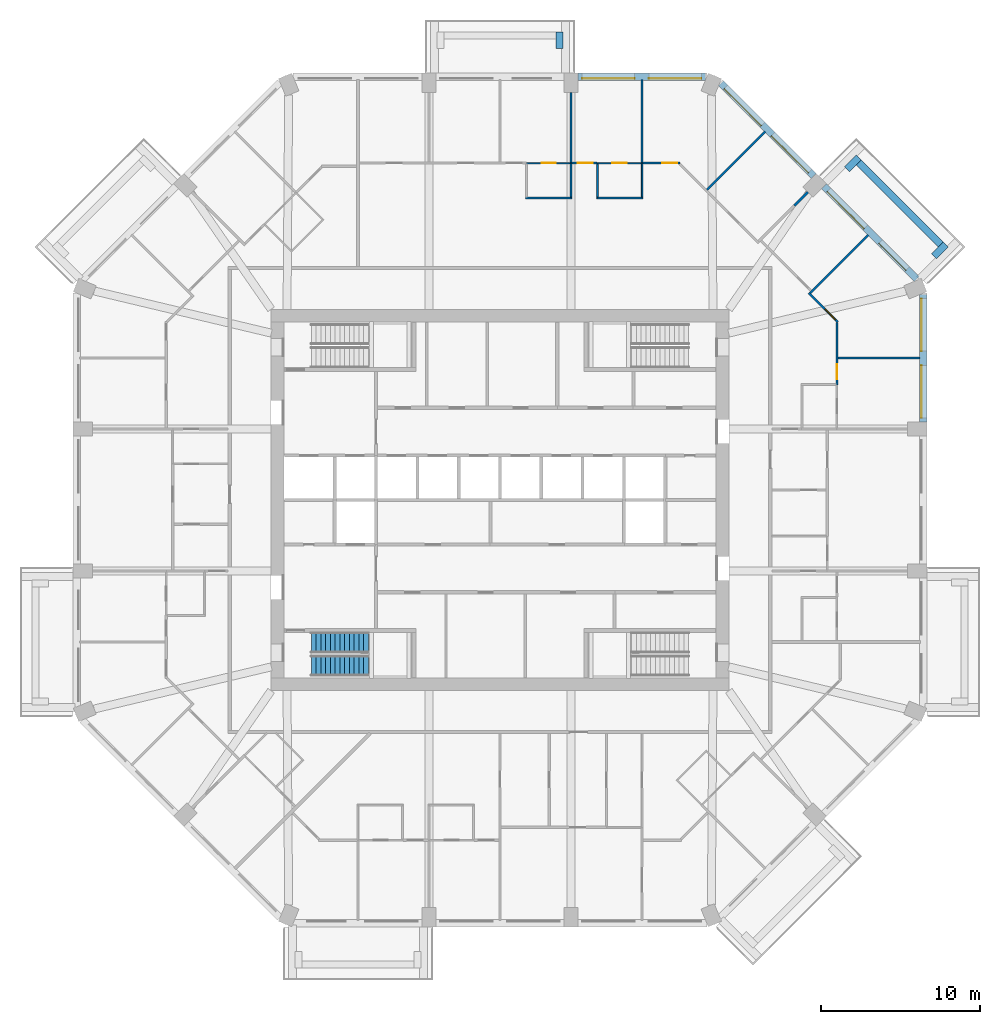
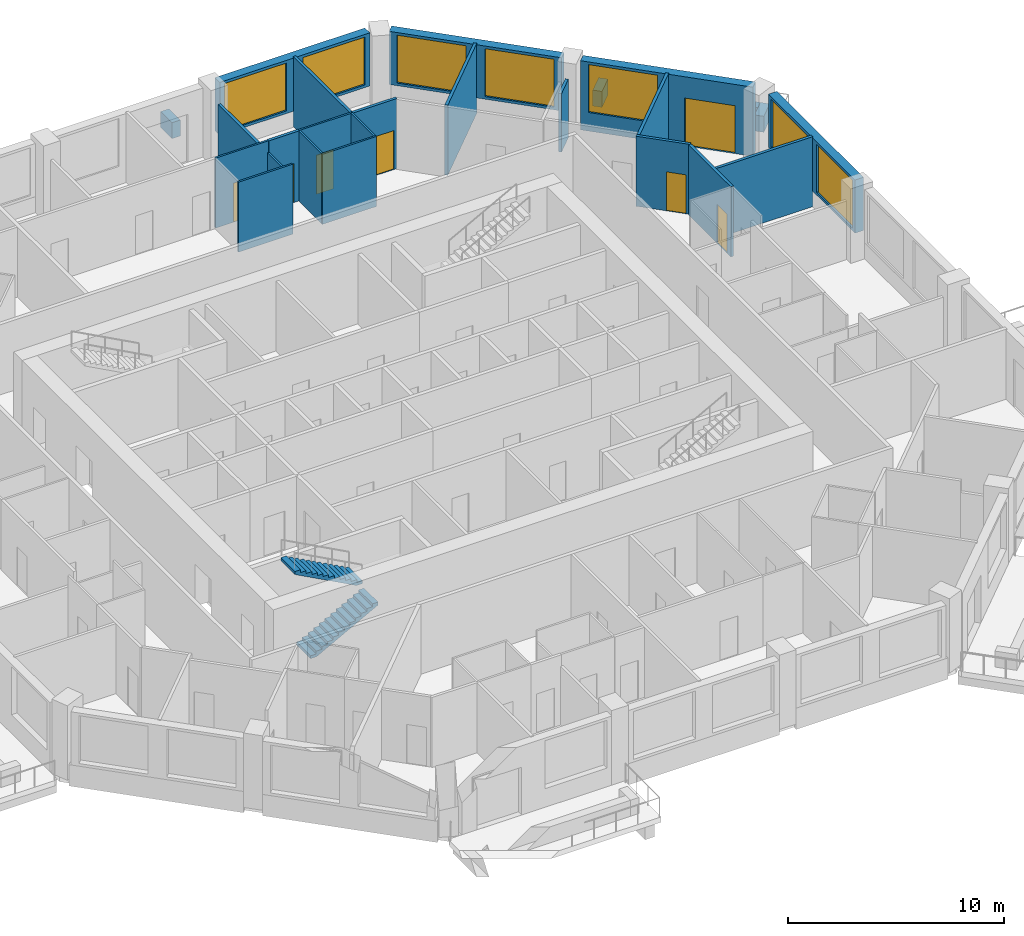
# One storey, part 10 of 12: 25 walls, 7 doors, 7 windows, 2 stair flights, 14 openings, 1 element without a shape of its own.
"""IFC4 building model written with IfcOpenShell, lengths in metres."""

import ifcopenshell
import ifcopenshell.guid

model = None  # the IFC model being written
_history = None  # IfcOwnerHistory: only IFC2X3 demands one
_inside = {}  # id of a spatial element -> (the spatial element, [elements in it])
_under = {}  # id of a project, library or spatial element -> (it, [spatial elements below it])
_declared = {}  # id of a project -> (the project, [libraries it declares])
_typed = {}  # id of a type object -> (the type object, [elements of that type])
_made_of = {}  # id of a material, layer set ... -> (it, [elements and type objects made of it])


def new_model(schema):
    """Start an empty IFC model of exactly this schema.

    Asked for "IFC4X3", IfcOpenShell would pick the latest addendum, in which some entities
    have other attributes; the version numbers below select the first issue.
    IFC2X3 requires an IfcOwnerHistory on every rooted entity: one is made here for all.
    """
    global model, _history
    if schema == "IFC4X3":
        model = ifcopenshell.file(schema_version=(4, 3, 0, 0))
    else:
        model = ifcopenshell.file(schema=schema)
    _inside.clear()
    _under.clear()
    _declared.clear()
    _typed.clear()
    _made_of.clear()
    _history = None
    if model.schema == "IFC2X3":
        org = make("IfcOrganization", Name="unknown")
        user = make(
            "IfcPersonAndOrganization",
            ThePerson=make("IfcPerson", FamilyName="unknown"),
            TheOrganization=org,
        )
        app = make(
            "IfcApplication",
            ApplicationDeveloper=org,
            Version="unknown",
            ApplicationFullName="unknown",
            ApplicationIdentifier="unknown",
        )
        _history = make(
            "IfcOwnerHistory",
            OwningUser=user,
            OwningApplication=app,
            ChangeAction="ADDED",
            CreationDate=0,
        )
    return model


def make(cls, **values):
    """One entity of the class cls with the attributes given. An attribute that is None is left unset."""
    return model.create_entity(
        cls, **{name: value for name, value in values.items() if value is not None}
    )


def rooted(cls, **values):
    """An entity with a GlobalId (a new one), such as an element, a storey or a relation."""
    return make(cls, GlobalId=ifcopenshell.guid.new(), OwnerHistory=_history, **values)


def si_unit(unit_type, name, prefix=None):
    """IfcSIUnit, for example si_unit("LENGTHUNIT", "METRE", prefix="MILLI")."""
    return make("IfcSIUnit", UnitType=unit_type, Prefix=prefix, Name=name)


def assignment(units):
    """IfcUnitAssignment: the units of a project."""
    return None if units is None else make("IfcUnitAssignment", Units=units)


def point(xyz):
    """IfcCartesianPoint."""
    return None if xyz is None else make("IfcCartesianPoint", Coordinates=xyz)


def direction(xyz):
    """IfcDirection."""
    return None if xyz is None else make("IfcDirection", DirectionRatios=xyz)


def frame(location, z_axis=None, x_axis=None):
    """IfcAxis2Placement3D, a coordinate frame: its origin and axes. An axis left out is left unset."""
    return make(
        "IfcAxis2Placement3D",
        Location=point(location),
        Axis=direction(z_axis),
        RefDirection=direction(x_axis),
    )


def frame_2d(location, x_axis=None):
    """IfcAxis2Placement2D, a coordinate frame in the plane: its origin and x axis."""
    return make(
        "IfcAxis2Placement2D", Location=point(location), RefDirection=direction(x_axis)
    )


def origin():
    """The frame at (0, 0, 0) with its axes left unset."""
    return frame((0.0, 0.0, 0.0))


def place(relative_to, where):
    """IfcLocalPlacement: puts the frame where relative to a parent placement (None: the world)."""
    return make(
        "IfcLocalPlacement", PlacementRelTo=relative_to, RelativePlacement=where
    )


def context(
    kind, dimensions, precision=None, world=None, true_north=None, identifier=None
):
    """IfcGeometricRepresentationContext, for example the 3D "Model" context."""
    return make(
        "IfcGeometricRepresentationContext",
        ContextIdentifier=identifier,
        ContextType=kind,
        CoordinateSpaceDimension=dimensions,
        Precision=precision,
        WorldCoordinateSystem=world,
        TrueNorth=true_north,
    )


def subcontext(parent, identifier, kind, view, scale=None):
    """IfcGeometricRepresentationSubContext, for example "Body" below "Model"."""
    return make(
        "IfcGeometricRepresentationSubContext",
        ContextIdentifier=identifier,
        ContextType=kind,
        ParentContext=parent,
        TargetScale=scale,
        TargetView=view,
    )


def project(units=None, contexts=None):
    """IfcProject with its units and contexts."""
    return rooted(
        "IfcProject",
        Name="project",
        RepresentationContexts=contexts,
        UnitsInContext=assignment(units),
    )


def spatial(cls, under=None, at=None, **own):
    """A site, building, storey or space (cls), placed at a placement, below another one or the project."""
    s = rooted(cls, ObjectPlacement=at, **own)
    if under is not None:
        _under.setdefault(under.id(), (under, []))[1].append(s)
    return s


def polyline(points):
    """IfcPolyline through the points."""
    return make("IfcPolyline", Points=[point(p) for p in points])


def profile(cls, at=None, kind="AREA", **sizes):
    """A parametric profile (cls). Its sizes go by their IFC names, for example OverallWidth=200.0."""
    return make(cls, ProfileType=kind, Position=at, **sizes)


def rectangle(**sizes):
    """IfcRectangleProfileDef."""
    return profile("IfcRectangleProfileDef", **sizes)


def outline(outer, holes=None, kind="AREA"):
    """IfcArbitraryClosedProfileDef: a profile drawn as a closed curve; with holes, ...WithVoids."""
    if holes is None:
        return make("IfcArbitraryClosedProfileDef", ProfileType=kind, OuterCurve=outer)
    return make(
        "IfcArbitraryProfileDefWithVoids",
        ProfileType=kind,
        OuterCurve=outer,
        InnerCurves=holes,
    )


def extrude(swept, where, along, depth):
    """IfcExtrudedAreaSolid: the profile swept, set in the frame where, extruded along a direction by depth."""
    return make(
        "IfcExtrudedAreaSolid",
        SweptArea=swept,
        Position=where,
        ExtrudedDirection=direction(along),
        Depth=depth,
    )


def shape(context_of_items, identifier, shape_type, items):
    """IfcShapeRepresentation: the items that make up one representation, for example the "Body"."""
    return make(
        "IfcShapeRepresentation",
        ContextOfItems=context_of_items,
        RepresentationIdentifier=identifier,
        RepresentationType=shape_type,
        Items=items,
    )


def material(Name=None, Category=None):
    """IfcMaterial."""
    return make("IfcMaterial", Name=Name, Category=Category)


def layer(
    of_material, thickness, ventilated=None, Name=None, Category=None, Priority=None
):
    """IfcMaterialLayer: one layer of a wall or slab, of a material (None: an air gap)."""
    return make(
        "IfcMaterialLayer",
        Material=of_material,
        LayerThickness=thickness,
        IsVentilated=ventilated,
        Name=Name,
        Category=Category,
        Priority=Priority,
    )


def layer_set(layers, Name=None):
    """IfcMaterialLayerSet."""
    return make("IfcMaterialLayerSet", MaterialLayers=layers, LayerSetName=Name)


def made_of(thing, what):
    """Note that an element or type object is made of a material, layer set ...; save() writes the relation."""
    if what is not None:
        _made_of.setdefault(what.id(), (what, []))[1].append(thing)
    return thing


def type_object(cls, material=None, **own):
    """A type object (cls), such as IfcWallType, which elements share."""
    return made_of(rooted(cls, **own), material)


def element(
    cls,
    number,
    at=None,
    inside=None,
    cuts=None,
    type_object=None,
    material=None,
    context=None,
    identifier="Body",
    shape_type=None,
    held_by="IfcProductDefinitionShape",
    body=None,
    shapes=None,
    **own,
):
    """One element of the class cls, such as IfcWall. Its Tag is "e" and its number.

    at: its placement. inside: the storey or other place that contains it. cuts: it is an
    opening in that element (IfcRelVoidsElement). A single representation is given by context,
    identifier, shape_type and body (its items); several are given by shapes. held_by: the class
    of the entity that holds the representations. save() writes the other relations.
    """
    e = rooted(cls, Tag="e%d" % number, ObjectPlacement=at, **own)
    if body is not None:
        shapes = [shape(context, identifier, shape_type, body)]
    if shapes is not None:
        e.Representation = make(held_by, Representations=shapes)
    if inside is not None:
        _inside.setdefault(inside.id(), (inside, []))[1].append(e)
    if cuts is not None:
        rooted(
            "IfcRelVoidsElement", RelatingBuildingElement=cuts, RelatedOpeningElement=e
        )
    if type_object is not None:
        _typed.setdefault(type_object.id(), (type_object, []))[1].append(e)
    return made_of(e, material)


def fill(opening, filler):
    """IfcRelFillsElement: the door or window that sits in an opening."""
    return rooted(
        "IfcRelFillsElement",
        RelatingOpeningElement=opening,
        RelatedBuildingElement=filler,
    )


def aggregate(whole, parts):
    """IfcRelAggregates: a whole, such as a stair, and the parts it consists of."""
    return rooted("IfcRelAggregates", RelatingObject=whole, RelatedObjects=parts)


def save(model, path):
    """Write the relations noted so far, then the file.

    IfcRelAggregates (storeys below a building ...), IfcRelContainedInSpatialStructure (elements
    in a storey), IfcRelDefinesByType, IfcRelAssociatesMaterial and IfcRelDeclares: one each for
    every whole, place, type object, material and project.
    """
    for whole, parts in _under.values():
        aggregate(whole, parts)
    for where, things in _inside.values():
        rooted(
            "IfcRelContainedInSpatialStructure",
            RelatedElements=things,
            RelatingStructure=where,
        )
    for kind, things in _typed.values():
        rooted("IfcRelDefinesByType", RelatedObjects=things, RelatingType=kind)
    for what, things in _made_of.values():
        rooted("IfcRelAssociatesMaterial", RelatedObjects=things, RelatingMaterial=what)
    for by, libraries in _declared.values():
        rooted("IfcRelDeclares", RelatingContext=by, RelatedDefinitions=libraries)
    model.write(path)


model = new_model("IFC4")

# Units and contexts
model_context = context("Model", 3, precision=1e-05, world=origin(), true_north=direction((0.0, 1.0)))
body_context = subcontext(model_context, "Body", "Model", "MODEL_VIEW")
ifc_project = project(units=[si_unit("LENGTHUNIT", "METRE"), si_unit("AREAUNIT", "SQUARE_METRE"), si_unit("VOLUMEUNIT", "CUBIC_METRE"), si_unit("PLANEANGLEUNIT", "RADIAN"), si_unit("MASSUNIT", "GRAM", prefix="KILO")], contexts=[model_context])

# Site, building, storey
site_placement = place(None, origin())
site = spatial("IfcSite", under=ifc_project, at=site_placement, CompositionType="ELEMENT")
building_placement = place(site_placement, origin())
building = spatial("IfcBuilding", under=site, at=building_placement, Name="Msitu Wima Residences", CompositionType="ELEMENT")
storey_placement = place(building_placement, frame((0.0, 0.0, 119.10009765625)))
storey = spatial("IfcBuildingStorey", under=building, at=storey_placement, Name="L27", CompositionType="ELEMENT", Elevation=119.10009765625)

# Walls
ifc_material_1 = material(Name="Facing brick")
ifc_layer_1 = layer(ifc_material_1, 0.06494140625, Name="Facing brick")
ifc_material_2 = material(Name="Concrete C40/50", Category="concrete")
ifc_layer_2 = layer(ifc_material_2, 0.156005859375, Name="Concrete C40/50")
ifc_material_3 = material(Name="Waterproofing membrane")
ifc_layer_3 = layer(ifc_material_3, 0.00390625, Name="Waterproofing membrane")
ifc_material_4 = material(Name="Planting soil and planting")
ifc_layer_4 = layer(ifc_material_4, 0.22509765625, Name="Planting soil and planting")
ifc_layer_set_1 = layer_set([ifc_layer_1, ifc_layer_2, ifc_layer_3, ifc_layer_4], Name="Concrete C40/50")
wall_type_1 = type_object("IfcWallType", Name="Balcony planter PLANTER PL450", PredefinedType="USERDEFINED", material=ifc_layer_set_1)
wall_1_placement = place(storey_placement, frame((27.725830078125, 16.0751953125, 0.0), z_axis=(0.0, 0.0, 1.0), x_axis=(-0.707106781187, 0.707106781187, 0.0)))
element("IfcWall", 1, at=wall_1_placement, inside=storey, type_object=wall_type_1, Name="Balcony planter NE0 L27", ObjectType="PLANTER", PredefinedType="USERDEFINED", context=body_context, shape_type="SweptSolid", body=[
    extrude(rectangle(XDim=7.288330078125, YDim=0.449951171875, at=frame_2d((3.64404296875, 0.0))), origin(), (0.0, 0.0, 1.0), 0.89990234375),
])
for number, where, z_axis, x_axis, name in (
    (2, (27.301513671875, 15.332763671875, 0.0), (0.0, 0.0, 1.0), (0.707106781187, 0.707106781187, 0.0), "Balcony planter NE0 L27"),
    (3, (21.829833984375, 20.804443359375, 0.0), (0.0, 0.0, 1.0), (0.707106781187, 0.707106781187, 0.0), "Balcony planter NE0 L27"),
    (4, (3.74365234375, 28.39990234375, 0.0), (0.0, 0.0, 1.0), (0.0, 1.0, 0.0), "Balcony planter N1 L27"),
):
    element("IfcWall", number, at=place(storey_placement, frame(where, z_axis=z_axis, x_axis=x_axis)), inside=storey, type_object=wall_type_1, Name=name, ObjectType="PLANTER", PredefinedType="USERDEFINED", context=body_context, shape_type="SweptSolid", body=[
        extrude(rectangle(XDim=1.050048828125, YDim=0.449951171875, at=frame_2d((0.52490234375, 0.0))), origin(), (0.0, 0.0, 1.0), 0.89990234375),
    ])

# Wall, openings, windows
ifc_material_5 = material(Name="Brick (red buff mix)", Category="masonry")
ifc_layer_5 = layer(ifc_material_5, 0.449951171875)
ifc_layer_set_2 = layer_set([ifc_layer_5], Name="Brick (red buff mix)")
wall_type_2 = type_object("IfcWallType", Name="Brick infill wall BW450", PredefinedType="SOLIDWALL", material=ifc_layer_set_2)
wall_2_placement = place(storey_placement, frame((26.625, 4.918701171875, 0.89990234375), z_axis=(0.0, 0.0, 1.0), x_axis=(0.0, 1.0, 0.0)))
wall_2 = element("IfcWall", 5, at=wall_2_placement, inside=storey, type_object=wall_type_2, Name="Brick infill wall L27 E2", PredefinedType="SOLIDWALL", context=body_context, shape_type="SweptSolid", body=[
    extrude(rectangle(XDim=8.0, YDim=0.449951171875, at=frame_2d((4.0, 0.0))), origin(), (0.0, 0.0, 1.0), 3.0),
])
opening_1_placement = place(wall_2_placement, frame((0.25, 0.0, 0.14990234375)))
opening_1 = element("IfcOpeningElement", 6, at=opening_1_placement, cuts=wall_2, Name="Opening W27-29.004", PredefinedType="OPENING", context=body_context, shape_type="SweptSolid", body=[
    extrude(rectangle(XDim=3.300048828125, YDim=2.699951171875, at=frame_2d((1.64990234375, 1.35009765625))), frame((0.0, 0.23486328125, 0.0), z_axis=(0.0, -1.0, 0.0), x_axis=(1.0, 0.0, 0.0)), (0.0, 0.0, 1.0), 0.469970703125),
])
opening_2_placement = place(wall_2_placement, frame((4.4501953125, 0.0, 0.14990234375)))
opening_2 = element("IfcOpeningElement", 7, at=opening_2_placement, cuts=wall_2, Name="Opening W27-29.005", PredefinedType="OPENING", context=body_context, shape_type="SweptSolid", body=[
    extrude(rectangle(XDim=3.300048828125, YDim=2.699951171875, at=frame_2d((1.64990234375, 1.35009765625))), frame((0.0, 0.23486328125, 0.0), z_axis=(0.0, -1.0, 0.0), x_axis=(1.0, 0.0, 0.0)), (0.0, 0.0, 1.0), 0.469970703125),
])
ifc_material_6 = material(Name="Anodised aluminium, bronze finish, clear low-emissivity double glazing", Category="aluminium")
window_type = type_object("IfcWindowType", Name="Window W3300x2700", PartitioningType="DOUBLE_PANEL_VERTICAL", PredefinedType="WINDOW", material=ifc_material_6)
window_1_placement = place(opening_1_placement, origin())
window_1 = element("IfcWindow", 8, at=window_1_placement, inside=storey, type_object=window_type, Name="Window L27 E2.1", OverallHeight=2.699951171875, OverallWidth=3.300048828125, PartitioningType="SINGLE_PANEL", PredefinedType="WINDOW", context=body_context, shape_type="SweptSolid", body=[
    extrude(rectangle(XDim=3.300048828125, YDim=2.699951171875, at=frame_2d((1.64990234375, 1.35009765625))), frame((0.0, 0.135009765625, 0.0), z_axis=(0.0, -1.0, 0.0), x_axis=(1.0, 0.0, 0.0)), (0.0, 0.0, 1.0), 0.06005859375),
])
fill(opening_1, window_1)
window_2_placement = place(opening_2_placement, origin())
window_2 = element("IfcWindow", 9, at=window_2_placement, inside=storey, type_object=window_type, Name="Window L27 E2.2", OverallHeight=2.699951171875, OverallWidth=3.300048828125, PartitioningType="SINGLE_PANEL", PredefinedType="WINDOW", context=body_context, shape_type="SweptSolid", body=[
    extrude(rectangle(XDim=3.300048828125, YDim=2.699951171875, at=frame_2d((1.64990234375, 1.35009765625))), frame((0.0, 0.135009765625, 0.0), z_axis=(0.0, -1.0, 0.0), x_axis=(1.0, 0.0, 0.0)), (0.0, 0.0, 1.0), 0.06005859375),
])
fill(opening_2, window_2)

# Wall, openings, door, window
wall_3_placement = place(storey_placement, frame((26.214599609375, 13.909423828125, 0.0), z_axis=(0.0, 0.0, 1.0), x_axis=(-0.707106781187, 0.707106781187, 0.0)))
wall_3 = element("IfcWall", 10, at=wall_3_placement, inside=storey, type_object=wall_type_2, Name="Brick infill wall L27 NE0", PredefinedType="SOLIDWALL", context=body_context, shape_type="SweptSolid", body=[
    extrude(rectangle(XDim=8.251220703125, YDim=0.449951171875, at=frame_2d((4.12548828125, 0.0))), origin(), (0.0, 0.0, 1.0), 3.89990234375),
])
opening_3_placement = place(wall_3_placement, frame((0.86279296875, 0.0, 0.0)))
opening_3 = element("IfcOpeningElement", 11, at=opening_3_placement, cuts=wall_3, Name="Opening D27-29.003", PredefinedType="OPENING", context=body_context, shape_type="SweptSolid", body=[
    extrude(rectangle(XDim=2.39990234375, YDim=2.699951171875, at=frame_2d((1.199951171875, 1.35009765625))), frame((0.0, 0.23486328125, 0.0), z_axis=(0.0, -1.0, 0.0), x_axis=(1.0, 0.0, 0.0)), (0.0, 0.0, 1.0), 0.469970703125),
])
opening_4_placement = place(wall_3_placement, frame((4.57568359375, 0.0, 1.050048828125)))
opening_4 = element("IfcOpeningElement", 12, at=opening_4_placement, cuts=wall_3, Name="Opening W27-29.011", PredefinedType="OPENING", context=body_context, shape_type="SweptSolid", body=[
    extrude(rectangle(XDim=3.300048828125, YDim=2.699951171875, at=frame_2d((1.64990234375, 1.35009765625))), frame((0.0, 0.23486328125, 0.0), z_axis=(0.0, -1.0, 0.0), x_axis=(1.0, 0.0, 0.0)), (0.0, 0.0, 1.0), 0.469970703125),
])
door_type_1 = type_object("IfcDoorType", Name="Balcony door D2400x2700", OperationType="SLIDING_TO_LEFT", PredefinedType="DOOR", material=ifc_material_6)
door_1_placement = place(opening_3_placement, origin())
door_1 = element("IfcDoor", 13, at=door_1_placement, inside=storey, type_object=door_type_1, Name="Balcony door L27 NE0", OperationType="SINGLE_SWING_LEFT", OverallHeight=2.699951171875, OverallWidth=2.39990234375, PredefinedType="DOOR", context=body_context, shape_type="SweptSolid", body=[
    extrude(rectangle(XDim=2.39990234375, YDim=2.699951171875, at=frame_2d((1.199951171875, 1.35009765625))), frame((0.0, 0.1298828125, 0.0), z_axis=(0.0, -1.0, 0.0), x_axis=(1.0, 0.0, 0.0)), (0.0, 0.0, 1.0), 0.050048828125),
])
fill(opening_3, door_1)
window_3_placement = place(opening_4_placement, origin())
window_3 = element("IfcWindow", 14, at=window_3_placement, inside=storey, type_object=window_type, Name="Window L27 NE0.2", OverallHeight=2.699951171875, OverallWidth=3.300048828125, PartitioningType="SINGLE_PANEL", PredefinedType="WINDOW", context=body_context, shape_type="SweptSolid", body=[
    extrude(rectangle(XDim=3.300048828125, YDim=2.699951171875, at=frame_2d((1.64990234375, 1.35009765625))), frame((0.0, 0.135009765625, 0.0), z_axis=(0.0, -1.0, 0.0), x_axis=(1.0, 0.0, 0.0)), (0.0, 0.0, 1.0), 0.06005859375),
])
fill(opening_4, window_3)

# Wall, openings, windows
wall_4_placement = place(storey_placement, frame((19.743896484375, 20.380126953125, 0.89990234375), z_axis=(0.0, 0.0, 1.0), x_axis=(-0.707106781187, 0.707106781187, 0.0)))
wall_4 = element("IfcWall", 15, at=wall_4_placement, inside=storey, type_object=wall_type_2, Name="Brick infill wall L27 NE1", PredefinedType="SOLIDWALL", context=body_context, shape_type="SweptSolid", body=[
    extrude(rectangle(XDim=8.251220703125, YDim=0.449951171875, at=frame_2d((4.12548828125, 0.0))), origin(), (0.0, 0.0, 1.0), 3.0),
])
opening_5_placement = place(wall_4_placement, frame((0.37548828125, 0.0, 0.14990234375)))
opening_5 = element("IfcOpeningElement", 16, at=opening_5_placement, cuts=wall_4, Name="Opening W27-29.012", PredefinedType="OPENING", context=body_context, shape_type="SweptSolid", body=[
    extrude(rectangle(XDim=3.300048828125, YDim=2.699951171875, at=frame_2d((1.64990234375, 1.35009765625))), frame((0.0, 0.23486328125, 0.0), z_axis=(0.0, -1.0, 0.0), x_axis=(1.0, 0.0, 0.0)), (0.0, 0.0, 1.0), 0.469970703125),
])
opening_6_placement = place(wall_4_placement, frame((4.57568359375, 0.0, 0.14990234375)))
opening_6 = element("IfcOpeningElement", 17, at=opening_6_placement, cuts=wall_4, Name="Opening W27-29.013", PredefinedType="OPENING", context=body_context, shape_type="SweptSolid", body=[
    extrude(rectangle(XDim=3.300048828125, YDim=2.699951171875, at=frame_2d((1.64990234375, 1.35009765625))), frame((0.0, 0.23486328125, 0.0), z_axis=(0.0, -1.0, 0.0), x_axis=(1.0, 0.0, 0.0)), (0.0, 0.0, 1.0), 0.469970703125),
])
window_4_placement = place(opening_5_placement, origin())
window_4 = element("IfcWindow", 18, at=window_4_placement, inside=storey, type_object=window_type, Name="Window L27 NE1.1", OverallHeight=2.699951171875, OverallWidth=3.300048828125, PartitioningType="SINGLE_PANEL", PredefinedType="WINDOW", context=body_context, shape_type="SweptSolid", body=[
    extrude(rectangle(XDim=3.300048828125, YDim=2.699951171875, at=frame_2d((1.64990234375, 1.35009765625))), frame((0.0, 0.135009765625, 0.0), z_axis=(0.0, -1.0, 0.0), x_axis=(1.0, 0.0, 0.0)), (0.0, 0.0, 1.0), 0.06005859375),
])
fill(opening_5, window_4)
window_5_placement = place(opening_6_placement, origin())
window_5 = element("IfcWindow", 19, at=window_5_placement, inside=storey, type_object=window_type, Name="Window L27 NE1.2", OverallHeight=2.699951171875, OverallWidth=3.300048828125, PartitioningType="SINGLE_PANEL", PredefinedType="WINDOW", context=body_context, shape_type="SweptSolid", body=[
    extrude(rectangle(XDim=3.300048828125, YDim=2.699951171875, at=frame_2d((1.64990234375, 1.35009765625))), frame((0.0, 0.135009765625, 0.0), z_axis=(0.0, -1.0, 0.0), x_axis=(1.0, 0.0, 0.0)), (0.0, 0.0, 1.0), 0.06005859375),
])
fill(opening_6, window_5)

wall_5_placement = place(storey_placement, frame((12.918701171875, 26.625, 0.89990234375), z_axis=(0.0, 0.0, 1.0), x_axis=(-1.0, 0.0, 0.0)))
wall_5 = element("IfcWall", 20, at=wall_5_placement, inside=storey, type_object=wall_type_2, Name="Brick infill wall L27 N0", PredefinedType="SOLIDWALL", context=body_context, shape_type="SweptSolid", body=[
    extrude(rectangle(XDim=8.0, YDim=0.449951171875, at=frame_2d((4.0, 0.0))), origin(), (0.0, 0.0, 1.0), 3.0),
])
opening_7_placement = place(wall_5_placement, frame((0.25, 0.0, 0.14990234375)))
opening_7 = element("IfcOpeningElement", 21, at=opening_7_placement, cuts=wall_5, Name="Opening W27-29.006", PredefinedType="OPENING", context=body_context, shape_type="SweptSolid", body=[
    extrude(rectangle(XDim=3.300048828125, YDim=2.699951171875, at=frame_2d((1.64990234375, 1.35009765625))), frame((0.0, 0.23486328125, 0.0), z_axis=(0.0, -1.0, 0.0), x_axis=(1.0, 0.0, 0.0)), (0.0, 0.0, 1.0), 0.469970703125),
])
opening_8_placement = place(wall_5_placement, frame((4.4501953125, 0.0, 0.14990234375)))
opening_8 = element("IfcOpeningElement", 22, at=opening_8_placement, cuts=wall_5, Name="Opening W27-29.007", PredefinedType="OPENING", context=body_context, shape_type="SweptSolid", body=[
    extrude(rectangle(XDim=3.300048828125, YDim=2.699951171875, at=frame_2d((1.64990234375, 1.35009765625))), frame((0.0, 0.23486328125, 0.0), z_axis=(0.0, -1.0, 0.0), x_axis=(1.0, 0.0, 0.0)), (0.0, 0.0, 1.0), 0.469970703125),
])
window_6_placement = place(opening_7_placement, origin())
window_6 = element("IfcWindow", 23, at=window_6_placement, inside=storey, type_object=window_type, Name="Window L27 N0.1", OverallHeight=2.699951171875, OverallWidth=3.300048828125, PartitioningType="SINGLE_PANEL", PredefinedType="WINDOW", context=body_context, shape_type="SweptSolid", body=[
    extrude(rectangle(XDim=3.300048828125, YDim=2.699951171875, at=frame_2d((1.64990234375, 1.35009765625))), frame((0.0, 0.135009765625, 0.0), z_axis=(0.0, -1.0, 0.0), x_axis=(1.0, 0.0, 0.0)), (0.0, 0.0, 1.0), 0.06005859375),
])
fill(opening_7, window_6)
window_7_placement = place(opening_8_placement, origin())
window_7 = element("IfcWindow", 24, at=window_7_placement, inside=storey, type_object=window_type, Name="Window L27 N0.2", OverallHeight=2.699951171875, OverallWidth=3.300048828125, PartitioningType="SINGLE_PANEL", PredefinedType="WINDOW", context=body_context, shape_type="SweptSolid", body=[
    extrude(rectangle(XDim=3.300048828125, YDim=2.699951171875, at=frame_2d((1.64990234375, 1.35009765625))), frame((0.0, 0.135009765625, 0.0), z_axis=(0.0, -1.0, 0.0), x_axis=(1.0, 0.0, 0.0)), (0.0, 0.0, 1.0), 0.06005859375),
])
fill(opening_8, window_7)

# Wall
ifc_material_7 = material(Name="Plaster")
ifc_layer_6 = layer(ifc_material_7, 0.011962890625, Name="Plaster")
ifc_material_8 = material(Name="Concrete blockwork", Category="masonry")
ifc_layer_7 = layer(ifc_material_8, 0.1259765625, Name="Concrete blockwork")
ifc_layer_8 = layer(ifc_material_7, 0.011962890625, Name="Plaster")
ifc_layer_set_3 = layer_set([ifc_layer_6, ifc_layer_7, ifc_layer_8], Name="Concrete blockwork")
wall_type_3 = type_object("IfcWallType", Name="Partition PW150", PredefinedType="PARTITIONING", material=ifc_layer_set_3)
wall_6_placement = place(storey_placement, frame((4.46875, 21.179931640625, 0.0), z_axis=(0.0, 0.0, 1.0), x_axis=(0.0, 1.0, 0.0)))
element("IfcWall", 25, at=wall_6_placement, inside=storey, type_object=wall_type_3, Name="Partition", PredefinedType="PARTITIONING", context=body_context, shape_type="SweptSolid", body=[
    extrude(rectangle(XDim=4.469970703125, YDim=0.14990234375, at=frame_2d((2.23486328125, 0.0))), origin(), (0.0, 0.0, 1.0), 3.2998046875),
])

# Wall, opening, door
wall_7_placement = place(storey_placement, frame((4.488525390625, 21.199951171875, 0.0), z_axis=(0.0, 0.0, 1.0), x_axis=(1.0, 0.0, 0.0)))
wall_7 = element("IfcWall", 26, at=wall_7_placement, inside=storey, type_object=wall_type_3, Name="Partition", PredefinedType="PARTITIONING", context=body_context, shape_type="SweptSolid", body=[
    extrude(rectangle(XDim=1.628662109375, YDim=0.14990234375, at=frame_2d((0.814453125, 0.0))), origin(), (0.0, 0.0, 1.0), 3.949951171875),
])
opening_9_placement = place(wall_7_placement, frame((0.39990234375, 0.0, 0.0)))
opening_9 = element("IfcOpeningElement", 27, at=opening_9_placement, cuts=wall_7, Name="Opening D27-29.081", PredefinedType="OPENING", context=body_context, shape_type="SweptSolid", body=[
    extrude(rectangle(XDim=0.949951171875, YDim=2.199951171875, at=frame_2d((0.47509765625, 1.10009765625))), frame((0.0, 0.0849609375, 0.0), z_axis=(0.0, -1.0, 0.0), x_axis=(1.0, 0.0, 0.0)), (0.0, 0.0, 1.0), 0.169921875),
])
ifc_material_9 = material(Name="Timber flush door", Category="wood")
door_type_2 = type_object("IfcDoorType", Name="Room door D12 950x2200", OperationType="SINGLE_SWING_LEFT", PredefinedType="DOOR", material=ifc_material_9)
door_2_placement = place(opening_9_placement, origin())
door_2 = element("IfcDoor", 28, at=door_2_placement, inside=storey, type_object=door_type_2, Name="Room door", OperationType="SINGLE_SWING_LEFT", OverallHeight=2.199951171875, OverallWidth=0.949951171875, PredefinedType="DOOR", context=body_context, shape_type="SweptSolid", body=[
    extrude(rectangle(XDim=0.949951171875, YDim=2.199951171875, at=frame_2d((0.47509765625, 1.10009765625))), frame((0.0, 0.02490234375, 0.0), z_axis=(0.0, -1.0, 0.0), x_axis=(1.0, 0.0, 0.0)), (0.0, 0.0, 1.0), 0.050048828125),
])
fill(opening_9, door_2)

# Wall
wall_8_placement = place(storey_placement, frame((8.937255859375, 21.179931640625, 0.0), z_axis=(0.0, 0.0, 1.0), x_axis=(0.0, 1.0, 0.0)))
element("IfcWall", 29, at=wall_8_placement, inside=storey, type_object=wall_type_3, Name="Partition", PredefinedType="PARTITIONING", context=body_context, shape_type="SweptSolid", body=[
    extrude(rectangle(XDim=5.275146484375, YDim=0.14990234375, at=frame_2d((2.6376953125, 0.0))), origin(), (0.0, 0.0, 1.0), 3.949951171875),
])

# Wall, opening, door
wall_9_placement = place(storey_placement, frame((8.957275390625, 21.199951171875, 0.0), z_axis=(0.0, 0.0, 1.0), x_axis=(1.0, 0.0, 0.0)))
wall_9 = element("IfcWall", 30, at=wall_9_placement, inside=storey, type_object=wall_type_3, Name="Partition", PredefinedType="PARTITIONING", context=body_context, shape_type="SweptSolid", body=[
    extrude(rectangle(XDim=2.36962890625, YDim=0.14990234375, at=frame_2d((1.184814453125, 0.0))), origin(), (0.0, 0.0, 1.0), 3.949951171875),
])
opening_10_placement = place(wall_9_placement, frame((1.25, 0.0, 0.0)))
opening_10 = element("IfcOpeningElement", 31, at=opening_10_placement, cuts=wall_9, Name="Opening D27-29.042", PredefinedType="OPENING", context=body_context, shape_type="SweptSolid", body=[
    extrude(rectangle(XDim=0.949951171875, YDim=2.199951171875, at=frame_2d((0.47509765625, 1.10009765625))), frame((0.0, 0.0849609375, 0.0), z_axis=(0.0, -1.0, 0.0), x_axis=(1.0, 0.0, 0.0)), (0.0, 0.0, 1.0), 0.169921875),
])
door_3_placement = place(opening_10_placement, origin())
door_3 = element("IfcDoor", 32, at=door_3_placement, inside=storey, type_object=door_type_2, Name="Room door", OperationType="SINGLE_SWING_LEFT", OverallHeight=2.199951171875, OverallWidth=0.949951171875, PredefinedType="DOOR", context=body_context, shape_type="SweptSolid", body=[
    extrude(rectangle(XDim=0.949951171875, YDim=2.199951171875, at=frame_2d((0.47509765625, 1.10009765625))), frame((0.0, 0.02490234375, 0.0), z_axis=(0.0, -1.0, 0.0), x_axis=(1.0, 0.0, 0.0)), (0.0, 0.0, 1.0), 0.050048828125),
])
fill(opening_10, door_3)

# Walls
wall_10_placement = place(storey_placement, frame((13.030517578125, 19.527587890625, 0.0), z_axis=(0.0, 0.0, 1.0), x_axis=(0.707106781187, 0.707106781187, 0.0)))
element("IfcWall", 33, at=wall_10_placement, inside=storey, type_object=wall_type_3, Name="Partition", PredefinedType="PARTITIONING", context=body_context, shape_type="SweptSolid", body=[
    extrude(rectangle(XDim=5.179931640625, YDim=0.14990234375, at=frame_2d((2.58984375, 0.0))), origin(), (0.0, 0.0, 1.0), 3.949951171875),
])
wall_11_placement = place(storey_placement, frame((18.517578125, 18.517578125, 0.0), z_axis=(0.0, 0.0, 1.0), x_axis=(0.707106781187, 0.707106781187, 0.0)))
element("IfcWall", 34, at=wall_11_placement, inside=storey, type_object=wall_type_3, Name="Partition", PredefinedType="PARTITIONING", context=body_context, shape_type="SweptSolid", body=[
    extrude(rectangle(XDim=1.209228515625, YDim=0.14990234375, at=frame_2d((0.6044921875, 0.0))), origin(), (0.0, 0.0, 1.0), 3.2998046875),
])

# Wall, opening, door
wall_12_placement = place(storey_placement, frame((19.42138671875, 13.030517578125, 0.0), z_axis=(0.0, 0.0, 1.0), x_axis=(0.707106781187, -0.707106781187, 0.0)))
wall_12 = element("IfcWall", 35, at=wall_12_placement, inside=storey, type_object=wall_type_3, Name="Partition", PredefinedType="PARTITIONING", context=body_context, shape_type="SweptSolid", body=[
    extrude(rectangle(XDim=2.590087890625, YDim=0.14990234375, at=frame_2d((1.294921875, 0.0))), origin(), (0.0, 0.0, 1.0), 3.949951171875),
])
opening_11_placement = place(wall_12_placement, frame((1.449951171875, 0.0, 0.0)))
opening_11 = element("IfcOpeningElement", 36, at=opening_11_placement, cuts=wall_12, Name="Opening D27-29.043", PredefinedType="OPENING", context=body_context, shape_type="SweptSolid", body=[
    extrude(rectangle(XDim=0.949951171875, YDim=2.199951171875, at=frame_2d((0.47509765625, 1.10009765625))), frame((0.0, 0.0849609375, 0.0), z_axis=(0.0, -1.0, 0.0), x_axis=(1.0, 0.0, 0.0)), (0.0, 0.0, 1.0), 0.169921875),
])
door_4_placement = place(opening_11_placement, origin())
door_4 = element("IfcDoor", 37, at=door_4_placement, inside=storey, type_object=door_type_2, Name="Room door", OperationType="SINGLE_SWING_LEFT", OverallHeight=2.199951171875, OverallWidth=0.949951171875, PredefinedType="DOOR", context=body_context, shape_type="SweptSolid", body=[
    extrude(rectangle(XDim=0.949951171875, YDim=2.199951171875, at=frame_2d((0.47509765625, 1.10009765625))), frame((0.0, 0.02490234375, 0.0), z_axis=(0.0, -1.0, 0.0), x_axis=(1.0, 0.0, 0.0)), (0.0, 0.0, 1.0), 0.050048828125),
])
fill(opening_11, door_4)

# Wall
wall_13_placement = place(storey_placement, frame((19.527587890625, 13.030517578125, 0.0), z_axis=(0.0, 0.0, 1.0), x_axis=(0.707106781187, 0.707106781187, 0.0)))
element("IfcWall", 38, at=wall_13_placement, inside=storey, type_object=wall_type_3, Name="Partition", PredefinedType="PARTITIONING", context=body_context, shape_type="SweptSolid", body=[
    extrude(rectangle(XDim=5.14990234375, YDim=0.14990234375, at=frame_2d((2.574951171875, 0.0))), origin(), (0.0, 0.0, 1.0), 3.949951171875),
])

# Wall, opening, door
wall_14_placement = place(storey_placement, frame((21.199951171875, 7.24853515625, 0.0), z_axis=(0.0, 0.0, 1.0), x_axis=(0.0, 1.0, 0.0)))
wall_14 = element("IfcWall", 39, at=wall_14_placement, inside=storey, type_object=wall_type_3, Name="Partition", PredefinedType="PARTITIONING", context=body_context, shape_type="SweptSolid", body=[
    extrude(rectangle(XDim=3.928466796875, YDim=0.14990234375, at=frame_2d((1.96435546875, 0.0))), origin(), (0.0, 0.0, 1.0), 3.949951171875),
])
opening_12_placement = place(wall_14_placement, frame((0.35009765625, 0.0, 0.0)))
opening_12 = element("IfcOpeningElement", 40, at=opening_12_placement, cuts=wall_14, Name="Opening D27-29.088", PredefinedType="OPENING", context=body_context, shape_type="SweptSolid", body=[
    extrude(rectangle(XDim=0.949951171875, YDim=2.199951171875, at=frame_2d((0.47509765625, 1.10009765625))), frame((0.0, 0.0849609375, 0.0), z_axis=(0.0, -1.0, 0.0), x_axis=(1.0, 0.0, 0.0)), (0.0, 0.0, 1.0), 0.169921875),
])
door_5_placement = place(opening_12_placement, origin())
door_5 = element("IfcDoor", 41, at=door_5_placement, inside=storey, type_object=door_type_2, Name="Room door", OperationType="SINGLE_SWING_LEFT", OverallHeight=2.199951171875, OverallWidth=0.949951171875, PredefinedType="DOOR", context=body_context, shape_type="SweptSolid", body=[
    extrude(rectangle(XDim=0.949951171875, YDim=2.199951171875, at=frame_2d((0.47509765625, 1.10009765625))), frame((0.0, 0.02490234375, 0.0), z_axis=(0.0, -1.0, 0.0), x_axis=(1.0, 0.0, 0.0)), (0.0, 0.0, 1.0), 0.050048828125),
])
fill(opening_12, door_5)

# Wall
wall_15_placement = place(storey_placement, frame((21.27490234375, 8.937255859375, 0.0), z_axis=(0.0, 0.0, 1.0), x_axis=(1.0, 0.0, 0.0)))
element("IfcWall", 42, at=wall_15_placement, inside=storey, type_object=wall_type_3, Name="Partition", PredefinedType="PARTITIONING", context=body_context, shape_type="SweptSolid", body=[
    extrude(rectangle(XDim=5.150146484375, YDim=0.14990234375, at=frame_2d((2.5751953125, 0.0))), origin(), (0.0, 0.0, 1.0), 3.949951171875),
])

# Wall, opening, door
ifc_material_10 = material(Name="Ceramic tiles")
ifc_layer_9 = layer(ifc_material_10, 0.008056640625, Name="Ceramic tiles")
ifc_material_11 = material(Name="Moisture-resistant board")
ifc_layer_10 = layer(ifc_material_11, 0.012451171875, Name="Moisture-resistant board")
ifc_material_12 = material(Name="Light-gauge stud framing with mineral wool")
ifc_layer_11 = layer(ifc_material_12, 0.06689453125, Name="Light-gauge stud framing with mineral wool")
ifc_layer_12 = layer(ifc_material_11, 0.012451171875, Name="Moisture-resistant board")
ifc_layer_set_4 = layer_set([ifc_layer_9, ifc_layer_10, ifc_layer_11, ifc_layer_12], Name="Light-gauge stud framing with mineral wool")
wall_type_4 = type_object("IfcWallType", Name="Wet wall PW100", PredefinedType="PARTITIONING", material=ifc_layer_set_4)
wall_16_placement = place(storey_placement, frame((1.668701171875, 21.199951171875, 0.0), z_axis=(0.0, 0.0, 1.0), x_axis=(1.0, 0.0, 0.0)))
wall_16 = element("IfcWall", 43, at=wall_16_placement, inside=storey, type_object=wall_type_4, Name="Wet wall", PredefinedType="PARTITIONING", context=body_context, shape_type="SweptSolid", body=[
    extrude(rectangle(XDim=2.81982421875, YDim=0.10009765625, at=frame_2d((1.409912109375, 0.0))), origin(), (0.0, 0.0, 1.0), 3.949951171875),
])
opening_13_placement = place(wall_16_placement, frame((0.949951171875, 0.0, 0.0)))
opening_13 = element("IfcOpeningElement", 44, at=opening_13_placement, cuts=wall_16, Name="Opening D27-29.087", PredefinedType="OPENING", context=body_context, shape_type="SweptSolid", body=[
    extrude(rectangle(XDim=0.89990234375, YDim=2.199951171875, at=frame_2d((0.449951171875, 1.10009765625))), frame((0.0, 0.06005859375, 0.0), z_axis=(0.0, -1.0, 0.0), x_axis=(1.0, 0.0, 0.0)), (0.0, 0.0, 1.0), 0.1201171875),
])
ifc_material_13 = material(Name="Timber flush door, moisture resistant", Category="wood")
door_type_3 = type_object("IfcDoorType", Name="Bathroom door D03 900x2200", OperationType="SINGLE_SWING_LEFT", PredefinedType="DOOR", material=ifc_material_13)
door_6_placement = place(opening_13_placement, origin())
door_6 = element("IfcDoor", 45, at=door_6_placement, inside=storey, type_object=door_type_3, Name="Bathroom door", OperationType="SINGLE_SWING_RIGHT", OverallHeight=2.199951171875, OverallWidth=0.89990234375, PredefinedType="DOOR", context=body_context, shape_type="SweptSolid", body=[
    extrude(rectangle(XDim=0.89990234375, YDim=2.199951171875, at=frame_2d((0.449951171875, 1.10009765625))), frame((0.0, 0.02490234375, 0.0), z_axis=(0.0, -1.0, 0.0), x_axis=(1.0, 0.0, 0.0)), (0.0, 0.0, 1.0), 0.050048828125),
])
fill(opening_13, door_6)

# Walls
wall_17_placement = place(storey_placement, frame((1.61865234375, 19.0, 0.0), z_axis=(0.0, 0.0, 1.0), x_axis=(1.0, 0.0, 0.0)))
element("IfcWall", 46, at=wall_17_placement, inside=storey, type_object=wall_type_4, Name="Wet wall", PredefinedType="PARTITIONING", context=body_context, shape_type="SweptSolid", body=[
    extrude(rectangle(XDim=2.89990234375, YDim=0.10009765625, at=frame_2d((1.449951171875, 0.0))), origin(), (0.0, 0.0, 1.0), 3.949951171875),
])
wall_18_placement = place(storey_placement, frame((4.46875, 19.050048828125, 0.0), z_axis=(0.0, 0.0, 1.0), x_axis=(0.0, 1.0, 0.0)))
element("IfcWall", 47, at=wall_18_placement, inside=storey, type_object=wall_type_4, Name="Wet wall", PredefinedType="PARTITIONING", context=body_context, shape_type="SweptSolid", body=[
    extrude(rectangle(XDim=2.1298828125, YDim=0.10009765625, at=frame_2d((1.06494140625, 0.0))), origin(), (0.0, 0.0, 1.0), 3.2998046875),
])

# Wall, opening, door
wall_19_placement = place(storey_placement, frame((6.1171875, 21.199951171875, 0.0), z_axis=(0.0, 0.0, 1.0), x_axis=(1.0, 0.0, 0.0)))
wall_19 = element("IfcWall", 48, at=wall_19_placement, inside=storey, type_object=wall_type_4, Name="Wet wall", PredefinedType="PARTITIONING", context=body_context, shape_type="SweptSolid", body=[
    extrude(rectangle(XDim=2.840087890625, YDim=0.10009765625, at=frame_2d((1.419921875, 0.0))), origin(), (0.0, 0.0, 1.0), 3.949951171875),
])
opening_14_placement = place(wall_19_placement, frame((0.949951171875, 0.0, 0.0)))
opening_14 = element("IfcOpeningElement", 49, at=opening_14_placement, cuts=wall_19, Name="Opening D27-29.085", PredefinedType="OPENING", context=body_context, shape_type="SweptSolid", body=[
    extrude(rectangle(XDim=0.89990234375, YDim=2.199951171875, at=frame_2d((0.449951171875, 1.10009765625))), frame((0.0, 0.06005859375, 0.0), z_axis=(0.0, -1.0, 0.0), x_axis=(1.0, 0.0, 0.0)), (0.0, 0.0, 1.0), 0.1201171875),
])
door_7_placement = place(opening_14_placement, origin())
door_7 = element("IfcDoor", 50, at=door_7_placement, inside=storey, type_object=door_type_3, Name="Bathroom door", OperationType="SINGLE_SWING_RIGHT", OverallHeight=2.199951171875, OverallWidth=0.89990234375, PredefinedType="DOOR", context=body_context, shape_type="SweptSolid", body=[
    extrude(rectangle(XDim=0.89990234375, YDim=2.199951171875, at=frame_2d((0.449951171875, 1.10009765625))), frame((0.0, 0.02490234375, 0.0), z_axis=(0.0, -1.0, 0.0), x_axis=(1.0, 0.0, 0.0)), (0.0, 0.0, 1.0), 0.050048828125),
])
fill(opening_14, door_7)

# Walls
wall_20_placement = place(storey_placement, frame((6.13720703125, 19.050048828125, 0.0), z_axis=(0.0, 0.0, 1.0), x_axis=(0.0, 1.0, 0.0)))
element("IfcWall", 51, at=wall_20_placement, inside=storey, type_object=wall_type_4, Name="Wet wall", PredefinedType="PARTITIONING", context=body_context, shape_type="SweptSolid", body=[
    extrude(rectangle(XDim=2.099853515625, YDim=0.10009765625, at=frame_2d((1.0498046875, 0.0))), origin(), (0.0, 0.0, 1.0), 3.949951171875),
])
wall_21_placement = place(storey_placement, frame((6.087158203125, 19.0, 0.0), z_axis=(0.0, 0.0, 1.0), x_axis=(1.0, 0.0, 0.0)))
element("IfcWall", 52, at=wall_21_placement, inside=storey, type_object=wall_type_4, Name="Wet wall", PredefinedType="PARTITIONING", context=body_context, shape_type="SweptSolid", body=[
    extrude(rectangle(XDim=2.900146484375, YDim=0.10009765625, at=frame_2d((1.4501953125, 0.0))), origin(), (0.0, 0.0, 1.0), 3.949951171875),
])
wall_22_placement = place(storey_placement, frame((8.937255859375, 19.050048828125, 0.0), z_axis=(0.0, 0.0, 1.0), x_axis=(0.0, 1.0, 0.0)))
element("IfcWall", 53, at=wall_22_placement, inside=storey, type_object=wall_type_4, Name="Wet wall", PredefinedType="PARTITIONING", context=body_context, shape_type="SweptSolid", body=[
    extrude(rectangle(XDim=2.1298828125, YDim=0.10009765625, at=frame_2d((1.06494140625, 0.0))), origin(), (0.0, 0.0, 1.0), 3.949951171875),
])

# Stair, stair flights
stair_type = type_object("IfcStairType", Name="Exit stair ES1615-130", PredefinedType="HALF_TURN_STAIR", material=ifc_material_2)
stair_placement = place(storey_placement, origin())
stair = element("IfcStair", 54, at=stair_placement, inside=storey, type_object=stair_type, Name="Exit stair 2", PredefinedType="HALF_TURN_STAIR")
stair_flight_type = type_object("IfcStairFlightType", Name="Exit stair flight ES1615-130", PredefinedType="STRAIGHT", material=ifc_material_2)
stair_flight_1_placement = place(storey_placement, frame((-11.875, -10.425048828125, 0.0), z_axis=(0.0, 0.0, 1.0), x_axis=(1.0, 0.0, 0.0)))
stair_flight_1 = element("IfcStairFlight", 55, at=stair_flight_1_placement, type_object=stair_flight_type, Name="S2 flight 1", NumberOfRisers=13, NumberOfTreads=12, PredefinedType="STRAIGHT", RiserHeight=0.161538462, TreadLength=0.3, context=body_context, shape_type="SweptSolid", body=[
    extrude(outline(polyline([(0.0, 0.0), (0.0, 0.16162109375), (0.300048828125, 0.16162109375), (0.300048828125, 0.322998046875), (0.60009765625, 0.322998046875), (0.60009765625, 0.484619140625), (0.89990234375, 0.484619140625), (0.89990234375, 0.646240234375), (1.199951171875, 0.646240234375), (1.199951171875, 0.8076171875), (1.5, 0.8076171875), (1.5, 0.96923828125), (1.800048828125, 0.96923828125), (1.800048828125, 1.130859375), (2.10009765625, 1.130859375), (2.10009765625, 1.292236328125), (2.39990234375, 1.292236328125), (2.39990234375, 1.453857421875), (2.699951171875, 1.453857421875), (2.699951171875, 1.615478515625), (3.0, 1.615478515625), (3.0, 1.77685546875), (3.300048828125, 1.77685546875), (3.300048828125, 1.9384765625), (3.60009765625, 1.9384765625), (3.60009765625, 2.10009765625), (3.60009765625, 1.768310546875), (0.316162109375, 0.0), (0.0, 0.0)])), frame((0.0, 0.64990234375, 0.0), z_axis=(0.0, -1.0, 0.0), x_axis=(1.0, 0.0, 0.0)), (0.0, 0.0, 1.0), 1.300048828125),
])
stair_flight_2_placement = place(storey_placement, frame((-8.27490234375, -8.97509765625, 2.099853515625), z_axis=(0.0, 0.0, 1.0), x_axis=(-1.0, 0.0, 0.0)))
stair_flight_2 = element("IfcStairFlight", 56, at=stair_flight_2_placement, type_object=stair_flight_type, Name="S2 flight 2", NumberOfRisers=13, NumberOfTreads=12, PredefinedType="STRAIGHT", RiserHeight=0.161538462, TreadLength=0.3, context=body_context, shape_type="SweptSolid", body=[
    extrude(outline(polyline([(0.0, 0.0), (0.0, 0.16162109375), (0.300048828125, 0.16162109375), (0.300048828125, 0.322998046875), (0.60009765625, 0.322998046875), (0.60009765625, 0.484619140625), (0.89990234375, 0.484619140625), (0.89990234375, 0.646240234375), (1.199951171875, 0.646240234375), (1.199951171875, 0.8076171875), (1.5, 0.8076171875), (1.5, 0.96923828125), (1.800048828125, 0.96923828125), (1.800048828125, 1.130859375), (2.10009765625, 1.130859375), (2.10009765625, 1.292236328125), (2.39990234375, 1.292236328125), (2.39990234375, 1.453857421875), (2.699951171875, 1.453857421875), (2.699951171875, 1.615478515625), (3.0, 1.615478515625), (3.0, 1.77685546875), (3.300048828125, 1.77685546875), (3.300048828125, 1.9384765625), (3.60009765625, 1.9384765625), (3.60009765625, 2.10009765625), (3.60009765625, 1.768310546875), (0.316162109375, 0.0), (0.0, 0.0)])), frame((0.0, 0.64990234375, 0.0), z_axis=(0.0, -1.0, 0.0), x_axis=(1.0, 0.0, 0.0)), (0.0, 0.0, 1.0), 1.300048828125),
])
aggregate(stair, [stair_flight_1, stair_flight_2])

save(model, "model.ifc")
